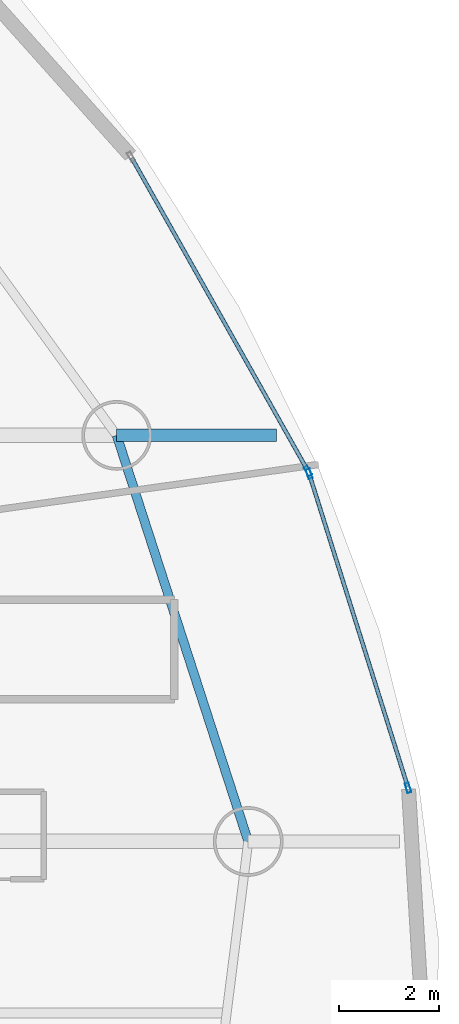
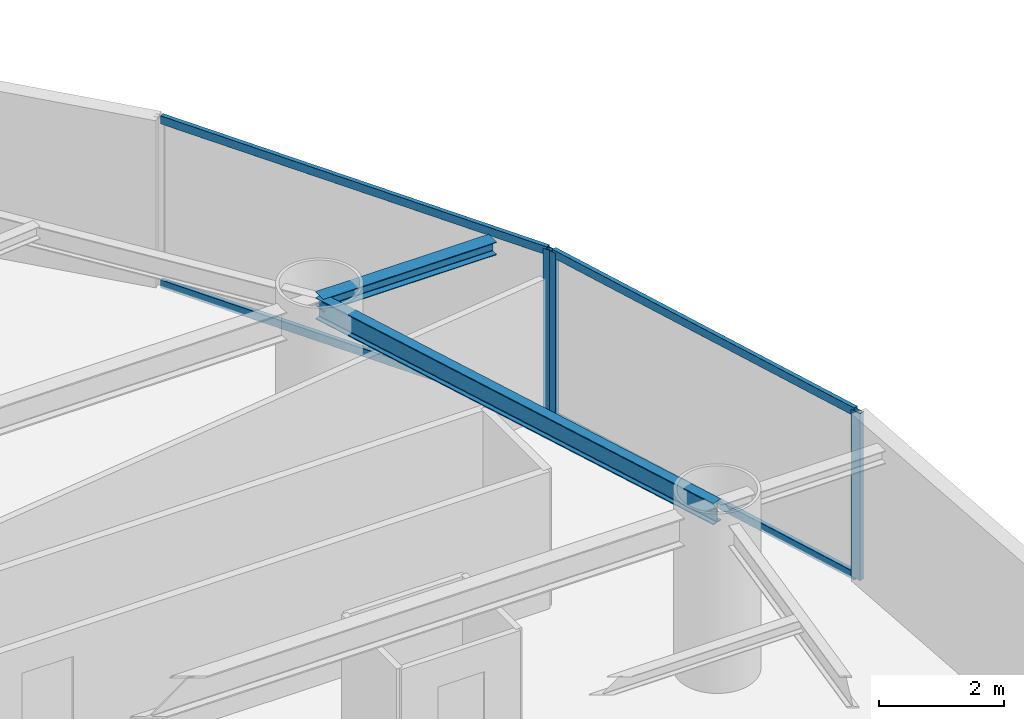
# One storey, part 10 of 22: 7 members, 2 beams, 2 elements without a shape of their own.
"""IFC4 building model written with IfcOpenShell, lengths in metres."""

from ifc_helpers import new_model, si_unit, direction, frame, origin, origin_2d, place, context, subcontext, project, spatial, hollow_rectangle, i_section, extrude, material, layer, layer_set, material_profile, profile_set, type_object, element, aggregate, save


model = new_model("IFC4")

# Units and contexts
model_context = context("Model", 3, precision=1e-05, world=origin(), true_north=direction((0.0, 1.0)))
body_context = subcontext(model_context, "Body", "Model", "MODEL_VIEW")
ifc_project = project(units=[si_unit("LENGTHUNIT", "METRE"), si_unit("AREAUNIT", "SQUARE_METRE"), si_unit("VOLUMEUNIT", "CUBIC_METRE"), si_unit("PLANEANGLEUNIT", "RADIAN"), si_unit("MASSUNIT", "GRAM", prefix="KILO")], contexts=[model_context])

# Site, building, storey
site_placement = place(None, origin())
site = spatial("IfcSite", under=ifc_project, at=site_placement, CompositionType="ELEMENT")
building_placement = place(site_placement, origin())
building = spatial("IfcBuilding", under=site, at=building_placement, Name="Bramvorn Convention Spire", CompositionType="ELEMENT")
storey_placement = place(building_placement, frame((0.0, 0.0, 137.800048828125)))
storey = spatial("IfcBuildingStorey", under=building, at=storey_placement, Name="L34", CompositionType="ELEMENT", Elevation=137.800048828125)

# Beams
ifc_material_1 = material(Name="Steel CSA G40.21 Grade 350 (350W)", Category="steel")
ifc_material_profile_1 = material_profile(ifc_material_1, i_section(OverallWidth=0.25390625, OverallDepth=0.2529296875, WebThickness=0.008544921875, FlangeThickness=0.01416015625, FilletRadius=0.011962890625, at=origin_2d()))
ifc_profile_set_1 = profile_set([ifc_material_profile_1], Name="Steel CSA G40.21 Grade 350 (350W) - W250X73")
beam_type_1 = type_object("IfcBeamType", Name="BM-W250X73", PredefinedType="BEAM", material=ifc_profile_set_1)
beam_1_placement = place(storey_placement, frame((60.345703125, 30.293212890625, 3.133544921875), z_axis=(1.0, 0.0, 0.0), x_axis=(0.0, 1.0, 0.0)))
element("IfcBeam", 1, at=beam_1_placement, inside=storey, type_object=beam_type_1, Name="L34 slab-edge cantilever tip beam MC03", PredefinedType="BEAM", context=body_context, shape_type="SweptSolid", body=[
    extrude(i_section(OverallWidth=0.25390625, OverallDepth=0.2529296875, WebThickness=0.008544921875, FlangeThickness=0.01416015625, FilletRadius=0.011962890625, at=origin_2d()), origin(), (0.0, 0.0, 1.0), 3.199951171875),
])
ifc_material_profile_2 = material_profile(ifc_material_1, i_section(OverallWidth=0.180908203125, OverallDepth=0.4169921875, WebThickness=0.010986328125, FlangeThickness=0.018310546875, FilletRadius=0.01611328125, at=origin_2d()))
ifc_profile_set_2 = profile_set([ifc_material_profile_2], Name="Steel CSA G40.21 Grade 350 (350W) - W410X85")
beam_type_2 = type_object("IfcBeamType", Name="BM-W410X85", PredefinedType="JOIST", material=ifc_profile_set_2)
beam_2_placement = place(storey_placement, frame((62.983642578125, 22.148193359375, 3.051513671875), z_axis=(-0.308114853612, 0.951349166701, 0.0), x_axis=(-0.951349166701, -0.308114853612, 0.0)))
element("IfcBeam", 2, at=beam_2_placement, inside=storey, type_object=beam_type_2, Name="L34 mega-column ring beam 02", PredefinedType="JOIST", context=body_context, shape_type="SweptSolid", body=[
    extrude(i_section(OverallWidth=0.180908203125, OverallDepth=0.4169921875, WebThickness=0.010986328125, FlangeThickness=0.018310546875, FilletRadius=0.01611328125, at=origin_2d()), origin(), (0.0, 0.0, 1.0), 8.5615234375),
])

# Curtain wall, members
ifc_material_2 = material(Name="Anodised Bronze Unitised Curtain Wall", Category="aluminium")
ifc_layer = layer(ifc_material_2, 0.179931640625)
ifc_layer_set = layer_set([ifc_layer], Name="Anodised Bronze Unitised Curtain Wall - CW-HTL-FRIT")
curtain_wall_type = type_object("IfcCurtainWallType", Name="CW-HTL-FRIT", PredefinedType="USERDEFINED", material=ifc_layer_set)
curtain_wall_1_placement = place(storey_placement, origin())
curtain_wall_1 = element("IfcCurtainWall", 3, at=curtain_wall_1_placement, inside=storey, type_object=curtain_wall_type, Name="L34 fritted glass curtain wall 03", ObjectType="UNITISED CURTAIN WALL", PredefinedType="USERDEFINED")
ifc_material_3 = material(Name="Anodised Bronze Aluminium 6063-T6", Category="aluminium")
ifc_material_profile_3 = material_profile(ifc_material_3, hollow_rectangle(XDim=0.080078125, YDim=0.199951171875, WallThickness=0.00390625, InnerFilletRadius=0.0009765625, OuterFilletRadius=0.00390625, at=origin_2d()))
ifc_profile_set_3 = profile_set([ifc_material_profile_3], Name="Anodised Bronze Aluminium 6063-T6 - CWM80X200")
member_type_1 = type_object("IfcMemberType", Name="CW-MUL-180", PredefinedType="MULLION", material=ifc_profile_set_3)
member_1_placement = place(storey_placement, frame((64.20556640625, 29.5234375, 0.0), z_axis=(0.0, 0.0, 1.0), x_axis=(0.953785165881, 0.300489363115, 0.0)))
member_1 = element("IfcMember", 4, at=member_1_placement, type_object=member_type_1, Name="CW2 mullion 1", PredefinedType="MULLION", context=body_context, shape_type="SweptSolid", body=[
    extrude(hollow_rectangle(XDim=0.080078125, YDim=0.199951171875, WallThickness=0.00390625, InnerFilletRadius=0.0009765625, OuterFilletRadius=0.00390625, at=origin_2d()), origin(), (0.0, 0.0, 1.0), 3.260009765625),
])
member_2_placement = place(storey_placement, frame((66.1904296875, 23.2236328125, 0.0), z_axis=(0.0, 0.0, 1.0), x_axis=(0.953785165881, 0.300489363115, 0.0)))
member_2 = element("IfcMember", 5, at=member_2_placement, type_object=member_type_1, Name="CW2 mullion 2", PredefinedType="MULLION", context=body_context, shape_type="SweptSolid", body=[
    extrude(hollow_rectangle(XDim=0.080078125, YDim=0.199951171875, WallThickness=0.00390625, InnerFilletRadius=0.0009765625, OuterFilletRadius=0.00390625, at=origin_2d()), origin(), (0.0, 0.0, 1.0), 3.260009765625),
])

# Curtain wall, member
curtain_wall_2_placement = place(storey_placement, origin())
curtain_wall_2 = element("IfcCurtainWall", 6, at=curtain_wall_2_placement, inside=storey, type_object=curtain_wall_type, Name="L34 fritted glass curtain wall 04", ObjectType="UNITISED CURTAIN WALL", PredefinedType="USERDEFINED")
member_3_placement = place(storey_placement, frame((64.181884765625, 29.578125, 0.0), z_axis=(0.0, 0.0, 1.0), x_axis=(0.871434494175, 0.490511898288, 0.0)))
member_3 = element("IfcMember", 7, at=member_3_placement, type_object=member_type_1, Name="CW2 mullion 2", PredefinedType="MULLION", context=body_context, shape_type="SweptSolid", body=[
    extrude(hollow_rectangle(XDim=0.080078125, YDim=0.199951171875, WallThickness=0.00390625, InnerFilletRadius=0.0009765625, OuterFilletRadius=0.00390625, at=origin_2d()), origin(), (0.0, 0.0, 1.0), 3.260009765625),
])

# Member
ifc_material_profile_4 = material_profile(ifc_material_3, hollow_rectangle(XDim=0.080078125, YDim=0.159912109375, WallThickness=0.00390625, InnerFilletRadius=0.0009765625, OuterFilletRadius=0.00390625, at=origin_2d()))
ifc_profile_set_4 = profile_set([ifc_material_profile_4], Name="Anodised Bronze Aluminium 6063-T6 - CWT80X160")
member_type_2 = type_object("IfcMemberType", Name="CW-TRN-150", PredefinedType="USERDEFINED", material=ifc_profile_set_4)
member_4_placement = place(storey_placement, frame((64.214599609375, 29.494873046875, 0.030029296875), z_axis=(0.300495776985, -0.953783145172, 0.0), x_axis=(0.953783145172, 0.300495776985, 0.0)))
member_4 = element("IfcMember", 8, at=member_4_placement, type_object=member_type_2, Name="CW2 transom 1.1", ObjectType="TRANSOM", PredefinedType="USERDEFINED", context=body_context, shape_type="SweptSolid", body=[
    extrude(hollow_rectangle(XDim=0.080078125, YDim=0.159912109375, WallThickness=0.00390625, InnerFilletRadius=0.0009765625, OuterFilletRadius=0.00390625, at=origin_2d()), origin(), (0.0, 0.0, 1.0), 6.545166015625),
])

member_5_placement = place(storey_placement, frame((64.214599609375, 29.494873046875, 3.22998046875), z_axis=(0.300495776985, -0.953783145172, 0.0), x_axis=(0.953783145172, 0.300495776985, 0.0)))
member_5 = element("IfcMember", 9, at=member_5_placement, type_object=member_type_2, Name="CW2 transom 1.2", ObjectType="TRANSOM", PredefinedType="USERDEFINED", context=body_context, shape_type="SweptSolid", body=[
    extrude(hollow_rectangle(XDim=0.080078125, YDim=0.159912109375, WallThickness=0.00390625, InnerFilletRadius=0.0009765625, OuterFilletRadius=0.00390625, at=origin_2d()), origin(), (0.0, 0.0, 1.0), 6.545166015625),
])

aggregate(curtain_wall_1, [member_1, member_2, member_4, member_5])

member_6_placement = place(storey_placement, frame((60.6494140625, 35.85400390625, 0.030029296875), z_axis=(0.490508502872, -0.871436405373, 0.0), x_axis=(0.871436405373, 0.490508502872, 0.0)))
member_6 = element("IfcMember", 10, at=member_6_placement, type_object=member_type_2, Name="CW2 transom 1.1", ObjectType="TRANSOM", PredefinedType="USERDEFINED", context=body_context, shape_type="SweptSolid", body=[
    extrude(hollow_rectangle(XDim=0.080078125, YDim=0.159912109375, WallThickness=0.00390625, InnerFilletRadius=0.0009765625, OuterFilletRadius=0.00390625, at=origin_2d()), origin(), (0.0, 0.0, 1.0), 7.171875),
])

member_7_placement = place(storey_placement, frame((60.6494140625, 35.85400390625, 3.22998046875), z_axis=(0.490508502872, -0.871436405373, 0.0), x_axis=(0.871436405373, 0.490508502872, 0.0)))
member_7 = element("IfcMember", 11, at=member_7_placement, type_object=member_type_2, Name="CW2 transom 1.2", ObjectType="TRANSOM", PredefinedType="USERDEFINED", context=body_context, shape_type="SweptSolid", body=[
    extrude(hollow_rectangle(XDim=0.080078125, YDim=0.159912109375, WallThickness=0.00390625, InnerFilletRadius=0.0009765625, OuterFilletRadius=0.00390625, at=origin_2d()), origin(), (0.0, 0.0, 1.0), 7.171875),
])

aggregate(curtain_wall_2, [member_3, member_6, member_7])

save(model, "model.ifc")
